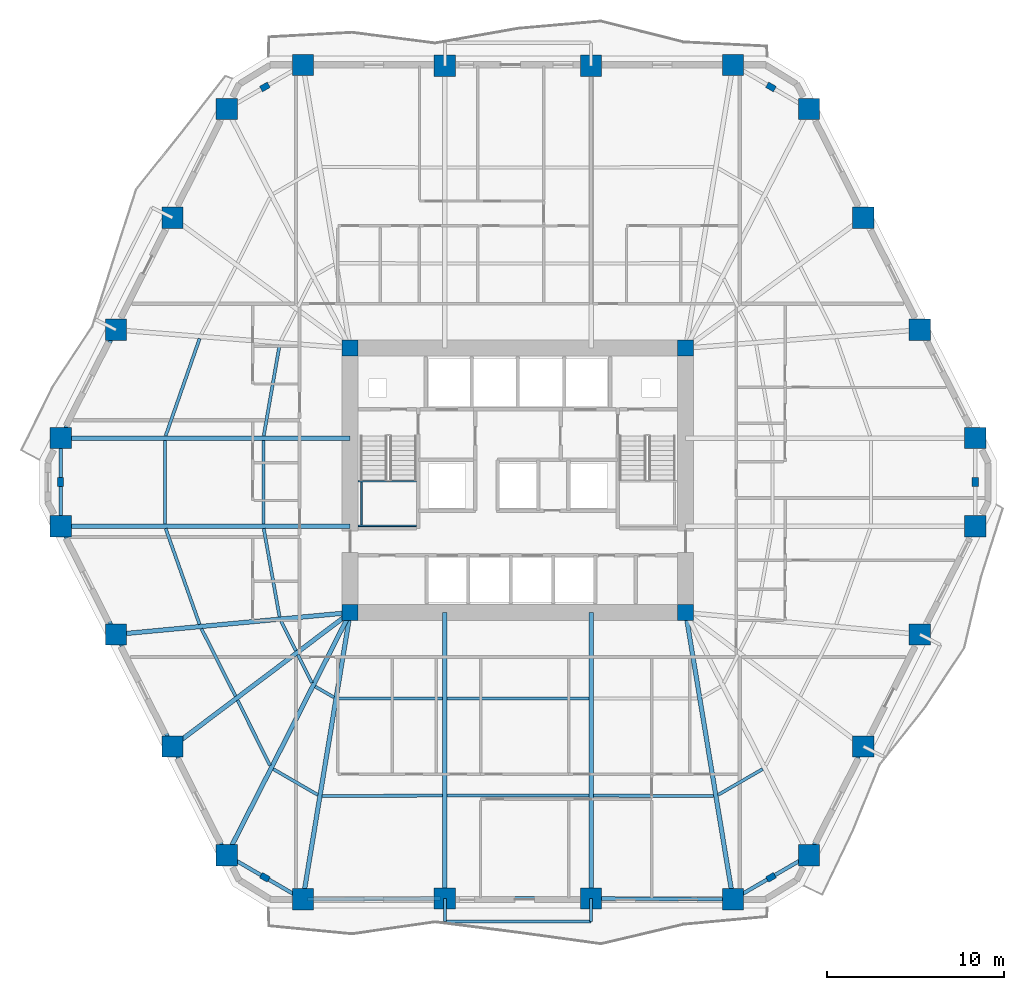
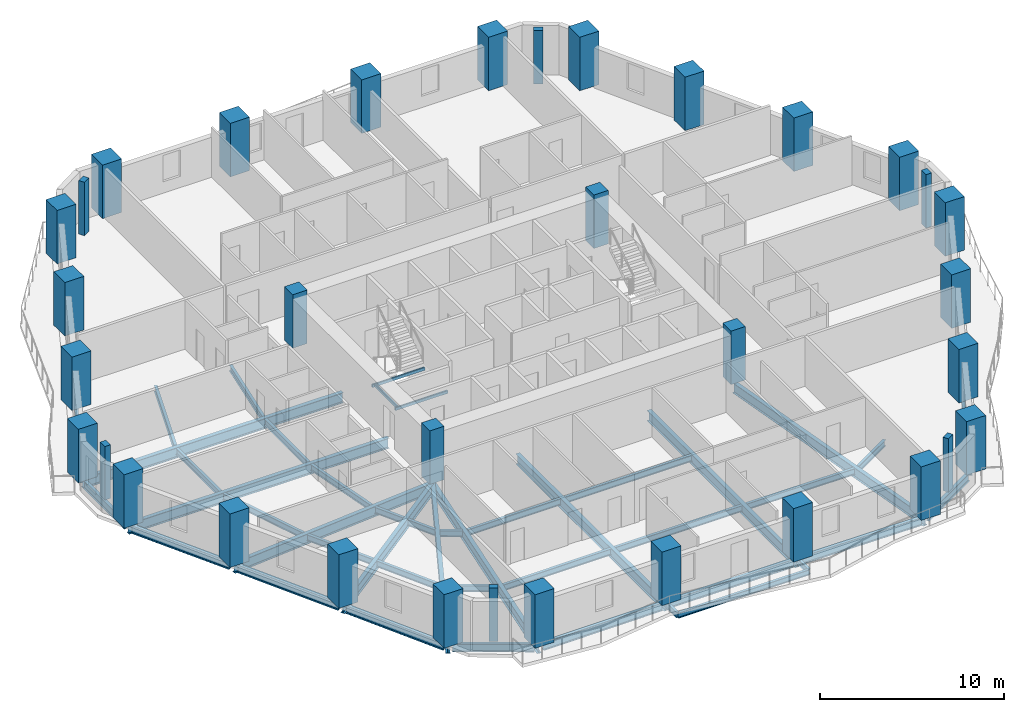
# One storey, part 1 of 12: 44 beams, 34 columns.
"""IFC4 building model written with IfcOpenShell, lengths in metres."""

from ifc_helpers import new_model, si_unit, direction, frame, origin, origin_2d, place, context, subcontext, project, spatial, rectangle, hollow_rectangle, i_section, extrude, material, material_profile, profile_set, type_object, element, save


model = new_model("IFC4")

# Units and contexts
model_context = context("Model", 3, precision=1e-05, world=origin(), true_north=direction((0.0, 1.0)))
body_context = subcontext(model_context, "Body", "Model", "MODEL_VIEW")
ifc_project = project(units=[si_unit("LENGTHUNIT", "METRE"), si_unit("AREAUNIT", "SQUARE_METRE"), si_unit("VOLUMEUNIT", "CUBIC_METRE"), si_unit("PLANEANGLEUNIT", "RADIAN"), si_unit("MASSUNIT", "GRAM", prefix="KILO")], contexts=[model_context])

# Site, building, storey
site_placement = place(None, origin())
site = spatial("IfcSite", under=ifc_project, at=site_placement, CompositionType="ELEMENT")
building_placement = place(site_placement, origin())
building = spatial("IfcBuilding", under=site, at=building_placement, Name="Cinnabar Lancet Tower", CompositionType="ELEMENT")
storey_placement = place(building_placement, frame((0.0, 0.0, 71.050048828125)))
storey = spatial("IfcBuildingStorey", under=building, at=storey_placement, Name="L18", CompositionType="ELEMENT", Elevation=71.050048828125)

# Columns
ifc_material_1 = material(Name="Concrete C80/95", Category="concrete")
ifc_material_profile_1 = material_profile(ifc_material_1, rectangle(XDim=0.89990234375, YDim=0.89990234375, at=origin_2d()), Name="RC-COL 900x900")
ifc_profile_set_1 = profile_set([ifc_material_profile_1], Name="Concrete C80/95")
column_type_1 = type_object("IfcColumnType", Name="STR-COL-CORE-900", PredefinedType="COLUMN", material=ifc_profile_set_1)
for number, where, z_axis, x_axis, name in (
    (1, (22.949951171875, 18.449951171875, 0.0), (0.0, 0.0, 1.0), (1.0, 0.0, 0.0), "L18 Core Corner Column SW"),
    (2, (41.85009765625, 18.449951171875, 0.0), (0.0, 0.0, 1.0), (1.0, 0.0, 0.0), "L18 Core Corner Column SE"),
    (3, (41.85009765625, 33.35009765625, 0.0), (0.0, 0.0, 1.0), (1.0, 0.0, 0.0), "L18 Core Corner Column NE"),
    (4, (22.949951171875, 33.35009765625, 0.0), (0.0, 0.0, 1.0), (1.0, 0.0, 0.0), "L18 Core Corner Column NW"),
):
    element("IfcColumn", number, at=place(storey_placement, frame(where, z_axis=z_axis, x_axis=x_axis)), inside=storey, type_object=column_type_1, Name=name, PredefinedType="COLUMN", context=body_context, shape_type="SweptSolid", body=[
        extrude(rectangle(XDim=0.89990234375, YDim=0.89990234375, at=origin_2d()), origin(), (0.0, 0.0, 1.0), 3.550048828125),
    ])
ifc_material_2 = material(Name="Concrete C60/75", Category="concrete")
ifc_material_profile_2 = material_profile(ifc_material_2, rectangle(XDim=0.5, YDim=0.35009765625, at=origin_2d()), Name="RC-PIL 500x350")
ifc_profile_set_2 = profile_set([ifc_material_profile_2], Name="Concrete C60/75")
column_type_2 = type_object("IfcColumnType", Name="STR-COL-PIL-500", PredefinedType="PILASTER", material=ifc_profile_set_2)
for number, where, z_axis, x_axis, name in (
    (5, (18.139892578125, 3.531005859375, 0.0), (0.0, 0.0, 1.0), (0.865195182343, -0.501435236546, 0.0), "L18 Chamfered Corner Pilaster 1"),
    (6, (46.659912109375, 3.531005859375, 0.0), (0.0, 0.0, 1.0), (0.865195182343, 0.501435236546, 0.0), "L18 Chamfered Corner Pilaster 2"),
    (7, (58.16796875, 25.800048828125, 0.0), (0.0, 0.0, 1.0), (0.0, 1.0, 0.0), "L18 Chamfered Corner Pilaster 3"),
    (8, (46.659912109375, 48.069091796875, 0.0), (0.0, 0.0, 1.0), (-0.865195182343, 0.501435236546, 0.0), "L18 Chamfered Corner Pilaster 4"),
    (9, (18.139892578125, 48.069091796875, 0.0), (0.0, 0.0, 1.0), (-0.865195182343, -0.501435236546, 0.0), "L18 Chamfered Corner Pilaster 5"),
    (10, (6.632080078125, 25.800048828125, 0.0), (0.0, 0.0, 1.0), (0.0, -1.0, 0.0), "L18 Chamfered Corner Pilaster 6"),
):
    element("IfcColumn", number, at=place(storey_placement, frame(where, z_axis=z_axis, x_axis=x_axis)), inside=storey, type_object=column_type_2, Name=name, PredefinedType="PILASTER", context=body_context, shape_type="SweptSolid", body=[
        extrude(rectangle(XDim=0.5, YDim=0.35009765625, at=origin_2d()), origin(), (0.0, 0.0, 1.0), 3.550048828125),
    ])
ifc_material_3 = material(Name="Concrete C80/95", Category="concrete")
ifc_material_profile_3 = material_profile(ifc_material_3, rectangle(XDim=1.199951171875, YDim=1.199951171875, at=origin_2d()), Name="RC-COL 1200x1200")
ifc_profile_set_3 = profile_set([ifc_material_profile_3], Name="Concrete C80/95")
column_type_3 = type_object("IfcColumnType", Name="STR-COL-TUBE-1200", PredefinedType="COLUMN", material=ifc_profile_set_3)
for number, where, z_axis, x_axis, name in (
    (11, (20.282958984375, 2.2890625, 0.0), (0.0, 0.0, 1.0), (1.0, 0.0, 0.0), "L18 Perimeter Tube Column 1"),
    (12, (28.278076171875, 2.342041015625, 0.0), (0.0, 0.0, 1.0), (1.0, 0.0, 0.0), "L18 Perimeter Tube Column 2"),
    (13, (36.52197265625, 2.342041015625, 0.0), (0.0, 0.0, 1.0), (1.0, 0.0, 0.0), "L18 Perimeter Tube Column 3"),
    (14, (44.51708984375, 2.2890625, 0.0), (0.0, 0.0, 1.0), (1.0, 0.0, 0.0), "L18 Perimeter Tube Column 4"),
    (15, (48.802978515625, 4.77294921875, 0.0), (0.0, 0.0, 1.0), (1.0, 0.0, 0.0), "L18 Perimeter Tube Column 5"),
    (16, (51.85888671875, 10.908935546875, 0.0), (0.0, 0.0, 1.0), (1.0, 0.0, 0.0), "L18 Perimeter Tube Column 6"),
    (17, (55.0458984375, 17.219970703125, 0.0), (0.0, 0.0, 1.0), (1.0, 0.0, 0.0), "L18 Perimeter Tube Column 7"),
    (18, (58.16796875, 23.31396484375, 0.0), (0.0, 0.0, 1.0), (1.0, 0.0, 0.0), "L18 Perimeter Tube Column 8"),
    (19, (58.16796875, 28.285888671875, 0.0), (0.0, 0.0, 1.0), (1.0, 0.0, 0.0), "L18 Perimeter Tube Column 9"),
    (20, (55.0458984375, 34.3798828125, 0.0), (0.0, 0.0, 1.0), (1.0, 0.0, 0.0), "L18 Perimeter Tube Column 10"),
    (21, (51.85888671875, 40.69091796875, 0.0), (0.0, 0.0, 1.0), (1.0, 0.0, 0.0), "L18 Perimeter Tube Column 11"),
    (22, (48.802978515625, 46.826904296875, 0.0), (0.0, 0.0, 1.0), (1.0, 0.0, 0.0), "L18 Perimeter Tube Column 12"),
    (23, (44.51708984375, 49.31103515625, 0.0), (0.0, 0.0, 1.0), (1.0, 0.0, 0.0), "L18 Perimeter Tube Column 13"),
    (24, (36.52197265625, 49.258056640625, 0.0), (0.0, 0.0, 1.0), (1.0, 0.0, 0.0), "L18 Perimeter Tube Column 14"),
    (25, (28.278076171875, 49.258056640625, 0.0), (0.0, 0.0, 1.0), (1.0, 0.0, 0.0), "L18 Perimeter Tube Column 15"),
    (26, (20.282958984375, 49.31103515625, 0.0), (0.0, 0.0, 1.0), (1.0, 0.0, 0.0), "L18 Perimeter Tube Column 16"),
    (27, (15.9970703125, 46.826904296875, 0.0), (0.0, 0.0, 1.0), (1.0, 0.0, 0.0), "L18 Perimeter Tube Column 17"),
    (28, (12.94091796875, 40.69091796875, 0.0), (0.0, 0.0, 1.0), (1.0, 0.0, 0.0), "L18 Perimeter Tube Column 18"),
    (29, (9.75390625, 34.3798828125, 0.0), (0.0, 0.0, 1.0), (1.0, 0.0, 0.0), "L18 Perimeter Tube Column 19"),
    (30, (6.632080078125, 28.285888671875, 0.0), (0.0, 0.0, 1.0), (1.0, 0.0, 0.0), "L18 Perimeter Tube Column 20"),
    (31, (6.632080078125, 23.31396484375, 0.0), (0.0, 0.0, 1.0), (1.0, 0.0, 0.0), "L18 Perimeter Tube Column 21"),
    (32, (9.75390625, 17.219970703125, 0.0), (0.0, 0.0, 1.0), (1.0, 0.0, 0.0), "L18 Perimeter Tube Column 22"),
    (33, (12.94091796875, 10.908935546875, 0.0), (0.0, 0.0, 1.0), (1.0, 0.0, 0.0), "L18 Perimeter Tube Column 23"),
    (34, (15.9970703125, 4.77294921875, 0.0), (0.0, 0.0, 1.0), (1.0, 0.0, 0.0), "L18 Perimeter Tube Column 24"),
):
    element("IfcColumn", number, at=place(storey_placement, frame(where, z_axis=z_axis, x_axis=x_axis)), inside=storey, type_object=column_type_3, Name=name, PredefinedType="COLUMN", context=body_context, shape_type="SweptSolid", body=[
        extrude(rectangle(XDim=1.199951171875, YDim=1.199951171875, at=origin_2d()), origin(), (0.0, 0.0, 1.0), 3.550048828125),
    ])

# Beams
ifc_material_4 = material(Name="Structural steel S355", Category="steel")
ifc_material_profile_4 = material_profile(ifc_material_4, i_section(OverallWidth=0.177978515625, OverallDepth=0.406494140625, WebThickness=0.0078125, FlangeThickness=0.0126953125, FilletRadius=0.01025390625, at=origin_2d()), Name="UKB 406x178x60")
ifc_profile_set_4 = profile_set([ifc_material_profile_4], Name="Structural steel S355")
beam_type_1 = type_object("IfcBeamType", Name="STR-BM-JST-406", PredefinedType="JOIST", material=ifc_profile_set_4)
beam_1_placement = place(storey_placement, frame((12.551025390625, 23.18701171875, -0.423095703125), z_axis=(0.333384030214, -0.942791115995, 0.0), x_axis=(0.942791115995, 0.333384030214, 0.0)))
element("IfcBeam", 35, at=beam_1_placement, inside=storey, type_object=beam_type_1, Name="L18 Secondary Floor Joist 1", PredefinedType="JOIST", context=body_context, shape_type="SweptSolid", body=[
    extrude(i_section(OverallWidth=0.177978515625, OverallDepth=0.406494140625, WebThickness=0.0078125, FlangeThickness=0.0126953125, FilletRadius=0.01025390625, at=origin_2d()), origin(), (0.0, 0.0, 1.0), 5.728759765625),
])
beam_2_placement = place(storey_placement, frame((18.076904296875, 23.18701171875, -0.423095703125), z_axis=(0.176294913937, -0.984337393031, 0.0), x_axis=(0.984337393031, 0.176294913937, 0.0)))
element("IfcBeam", 36, at=beam_2_placement, inside=storey, type_object=beam_type_1, Name="L18 Secondary Floor Joist 2", PredefinedType="JOIST", context=body_context, shape_type="SweptSolid", body=[
    extrude(i_section(OverallWidth=0.177978515625, OverallDepth=0.406494140625, WebThickness=0.0078125, FlangeThickness=0.0126953125, FilletRadius=0.01025390625, at=origin_2d()), origin(), (0.0, 0.0, 1.0), 5.060302734375),
])
beam_3_placement = place(storey_placement, frame((14.56591796875, 17.541015625, -0.423095703125), z_axis=(0.450809572228, -0.892620148545, 0.0), x_axis=(0.892620148545, 0.450809572228, 0.0)))
element("IfcBeam", 37, at=beam_3_placement, inside=storey, type_object=beam_type_1, Name="L18 Secondary Floor Joist 3", PredefinedType="JOIST", context=body_context, shape_type="SweptSolid", body=[
    extrude(i_section(OverallWidth=0.177978515625, OverallDepth=0.406494140625, WebThickness=0.0078125, FlangeThickness=0.0126953125, FilletRadius=0.01025390625, at=origin_2d()), origin(), (0.0, 0.0, 1.0), 4.25927734375),
])
beam_4_placement = place(storey_placement, frame((19.052978515625, 17.958984375, -0.423095703125), z_axis=(0.450632179195, -0.892709717139, 0.0), x_axis=(0.892709717139, 0.450632179195, 0.0)))
element("IfcBeam", 38, at=beam_4_placement, inside=storey, type_object=beam_type_1, Name="L18 Secondary Floor Joist 4", PredefinedType="JOIST", context=body_context, shape_type="SweptSolid", body=[
    extrude(i_section(OverallWidth=0.177978515625, OverallDepth=0.406494140625, WebThickness=0.0078125, FlangeThickness=0.0126953125, FilletRadius=0.01025390625, at=origin_2d()), origin(), (0.0, 0.0, 1.0), 1.85498046875),
])
beam_5_placement = place(storey_placement, frame((16.60205078125, 13.508056640625, -0.423095703125), z_axis=(0.445807799253, -0.895128709251, 0.0), x_axis=(0.895128709251, 0.445807799253, 0.0)))
element("IfcBeam", 39, at=beam_5_placement, inside=storey, type_object=beam_type_1, Name="L18 Secondary Floor Joist 5", PredefinedType="JOIST", context=body_context, shape_type="SweptSolid", body=[
    extrude(i_section(OverallWidth=0.177978515625, OverallDepth=0.406494140625, WebThickness=0.0078125, FlangeThickness=0.0126953125, FilletRadius=0.01025390625, at=origin_2d()), origin(), (0.0, 0.0, 1.0), 4.10009765625),
])
beam_6_placement = place(storey_placement, frame((20.0048828125, 16.072021484375, -0.423095703125), z_axis=(0.445888683384, -0.895088421347, 0.0), x_axis=(0.895088421347, 0.445888683384, 0.0)))
element("IfcBeam", 40, at=beam_6_placement, inside=storey, type_object=beam_type_1, Name="L18 Secondary Floor Joist 6", PredefinedType="JOIST", context=body_context, shape_type="SweptSolid", body=[
    extrude(i_section(OverallWidth=0.177978515625, OverallDepth=0.406494140625, WebThickness=0.0078125, FlangeThickness=0.0126953125, FilletRadius=0.01025390625, at=origin_2d()), origin(), (0.0, 0.0, 1.0), 1.76953125),
])
beam_7_placement = place(storey_placement, frame((18.610107421875, 9.633056640625, -0.423095703125), z_axis=(0.865209684948, -0.501410212373, 0.0), x_axis=(0.501410212373, 0.865209684948, 0.0)))
element("IfcBeam", 41, at=beam_7_placement, inside=storey, type_object=beam_type_1, Name="L18 Secondary Floor Joist 7", PredefinedType="JOIST", context=body_context, shape_type="SweptSolid", body=[
    extrude(i_section(OverallWidth=0.177978515625, OverallDepth=0.406494140625, WebThickness=0.0078125, FlangeThickness=0.0126953125, FilletRadius=0.01025390625, at=origin_2d()), origin(), (0.0, 0.0, 1.0), 2.90771484375),
])
beam_8_placement = place(storey_placement, frame((20.97412109375, 14.282958984375, -0.423095703125), z_axis=(0.865417177575, -0.50105200205, 0.0), x_axis=(0.50105200205, 0.865417177575, 0.0)))
element("IfcBeam", 42, at=beam_8_placement, inside=storey, type_object=beam_type_1, Name="L18 Secondary Floor Joist 8", PredefinedType="JOIST", context=body_context, shape_type="SweptSolid", body=[
    extrude(i_section(OverallWidth=0.177978515625, OverallDepth=0.406494140625, WebThickness=0.0078125, FlangeThickness=0.0126953125, FilletRadius=0.01025390625, at=origin_2d()), origin(), (0.0, 0.0, 1.0), 1.223388671875),
])
beam_9_placement = place(storey_placement, frame((21.3720703125, 8.10791015625, -0.423095703125), z_axis=(0.999988870422, 0.004717947923, 0.0), x_axis=(-0.004717947923, 0.999988870422, 0.0)))
element("IfcBeam", 43, at=beam_9_placement, inside=storey, type_object=beam_type_1, Name="L18 Secondary Floor Joist 9", PredefinedType="JOIST", context=body_context, shape_type="SweptSolid", body=[
    extrude(i_section(OverallWidth=0.177978515625, OverallDepth=0.406494140625, WebThickness=0.0078125, FlangeThickness=0.0126953125, FilletRadius=0.01025390625, at=origin_2d()), origin(), (0.0, 0.0, 1.0), 6.77880859375),
])
beam_10_placement = place(storey_placement, frame((22.279052734375, 13.60205078125, -0.423095703125), z_axis=(0.999996783665, 0.00253626892, 0.0), x_axis=(-0.00253626892, 0.999996783665, 0.0)))
element("IfcBeam", 44, at=beam_10_placement, inside=storey, type_object=beam_type_1, Name="L18 Secondary Floor Joist 10", PredefinedType="JOIST", context=body_context, shape_type="SweptSolid", body=[
    extrude(i_section(OverallWidth=0.177978515625, OverallDepth=0.406494140625, WebThickness=0.0078125, FlangeThickness=0.0126953125, FilletRadius=0.01025390625, at=origin_2d()), origin(), (0.0, 0.0, 1.0), 5.871826171875),
])
for number, where, z_axis, x_axis, name in (
    (45, (28.405029296875, 8.14111328125, -0.423095703125), (1.0, 0.0, 0.0), (0.0, 1.0, 0.0), "L18 Secondary Floor Joist 11"),
    (46, (28.405029296875, 13.617919921875, -0.423095703125), (1.0, 0.0, 0.0), (0.0, 1.0, 0.0), "L18 Secondary Floor Joist 12"),
):
    element("IfcBeam", number, at=place(storey_placement, frame(where, z_axis=z_axis, x_axis=x_axis)), inside=storey, type_object=beam_type_1, Name=name, PredefinedType="JOIST", context=body_context, shape_type="SweptSolid", body=[
        extrude(i_section(OverallWidth=0.177978515625, OverallDepth=0.406494140625, WebThickness=0.0078125, FlangeThickness=0.0126953125, FilletRadius=0.01025390625, at=origin_2d()), origin(), (0.0, 0.0, 1.0), 7.989990234375),
    ])
beam_11_placement = place(storey_placement, frame((36.64892578125, 8.139892578125, -0.423095703125), z_axis=(0.999988871223, -0.004717778015, 0.0), x_axis=(0.004717778015, 0.999988871223, 0.0)))
element("IfcBeam", 47, at=beam_11_placement, inside=storey, type_object=beam_type_1, Name="L18 Secondary Floor Joist 13", PredefinedType="JOIST", context=body_context, shape_type="SweptSolid", body=[
    extrude(i_section(OverallWidth=0.177978515625, OverallDepth=0.406494140625, WebThickness=0.0078125, FlangeThickness=0.0126953125, FilletRadius=0.01025390625, at=origin_2d()), origin(), (0.0, 0.0, 1.0), 6.779052734375),
])
beam_12_placement = place(storey_placement, frame((43.674072265625, 8.175048828125, -0.423095703125), z_axis=(0.865209684948, 0.501410212373, 0.0), x_axis=(-0.501410212373, 0.865209684948, 0.0)))
element("IfcBeam", 48, at=beam_12_placement, inside=storey, type_object=beam_type_1, Name="L18 Secondary Floor Joist 15", PredefinedType="JOIST", context=body_context, shape_type="SweptSolid", body=[
    extrude(i_section(OverallWidth=0.177978515625, OverallDepth=0.406494140625, WebThickness=0.0078125, FlangeThickness=0.0126953125, FilletRadius=0.01025390625, at=origin_2d()), origin(), (0.0, 0.0, 1.0), 2.90771484375),
])
beam_13_placement = place(storey_placement, frame((14.4609375, 33.885009765625, -0.423095703125), z_axis=(-0.329541584143, -0.944141061664, 0.0), x_axis=(0.944141061664, -0.329541584143, 0.0)))
element("IfcBeam", 49, at=beam_13_placement, inside=storey, type_object=beam_type_1, Name="L18 Secondary Floor Joist 45", PredefinedType="JOIST", context=body_context, shape_type="SweptSolid", body=[
    extrude(i_section(OverallWidth=0.177978515625, OverallDepth=0.406494140625, WebThickness=0.0078125, FlangeThickness=0.0126953125, FilletRadius=0.01025390625, at=origin_2d()), origin(), (0.0, 0.0, 1.0), 5.795654296875),
])
beam_14_placement = place(storey_placement, frame((18.968994140625, 33.532958984375, -0.423095703125), z_axis=(-0.17165440437, -0.985157228802, 0.0), x_axis=(0.985157228802, -0.17165440437, 0.0)))
element("IfcBeam", 50, at=beam_14_placement, inside=storey, type_object=beam_type_1, Name="L18 Secondary Floor Joist 46", PredefinedType="JOIST", context=body_context, shape_type="SweptSolid", body=[
    extrude(i_section(OverallWidth=0.177978515625, OverallDepth=0.406494140625, WebThickness=0.0078125, FlangeThickness=0.0126953125, FilletRadius=0.01025390625, at=origin_2d()), origin(), (0.0, 0.0, 1.0), 5.197021484375),
])
for number, where, z_axis, x_axis, name in (
    (51, (12.506103515625, 28.158935546875, -0.423095703125), (0.0, -1.0, 0.0), (1.0, 0.0, 0.0), "L18 Secondary Floor Joist 47"),
    (52, (18.054931640625, 28.158935546875, -0.423095703125), (0.0, -1.0, 0.0), (1.0, 0.0, 0.0), "L18 Secondary Floor Joist 48"),
):
    element("IfcBeam", number, at=place(storey_placement, frame(where, z_axis=z_axis, x_axis=x_axis)), inside=storey, type_object=beam_type_1, Name=name, PredefinedType="JOIST", context=body_context, shape_type="SweptSolid", body=[
        extrude(i_section(OverallWidth=0.177978515625, OverallDepth=0.406494140625, WebThickness=0.0078125, FlangeThickness=0.0126953125, FilletRadius=0.01025390625, at=origin_2d()), origin(), (0.0, 0.0, 1.0), 4.718017578125),
    ])
ifc_material_5 = material(Name="Structural steel S355", Category="steel")
ifc_material_profile_5 = material_profile(ifc_material_5, hollow_rectangle(XDim=0.10009765625, YDim=0.199951171875, WallThickness=0.008056640625, InnerFilletRadius=0.00390625, OuterFilletRadius=0.011962890625, at=origin_2d()), Name="RHS 200x100x8")
ifc_profile_set_5 = profile_set([ifc_material_profile_5], Name="Structural steel S355")
beam_type_2 = type_object("IfcBeamType", Name="STR-BM-LND-203", PredefinedType="BEAM", material=ifc_profile_set_5)
for number, where, z_axis, x_axis, name in (
    (53, (23.39990234375, 23.330078125, 1.474853515625), (1.0, 0.0, 0.0), (0.0, 1.0, 0.0), "L18 ST-1-L18 Landing Support Beam S"),
    (54, (23.39990234375, 25.844970703125, 1.474853515625), (1.0, 0.0, 0.0), (0.0, 1.0, 0.0), "L18 ST-1-L18 Landing Support Beam N"),
):
    element("IfcBeam", number, at=place(storey_placement, frame(where, z_axis=z_axis, x_axis=x_axis)), inside=storey, type_object=beam_type_2, Name=name, PredefinedType="BEAM", context=body_context, shape_type="SweptSolid", body=[
        extrude(hollow_rectangle(XDim=0.10009765625, YDim=0.199951171875, WallThickness=0.008056640625, InnerFilletRadius=0.00390625, OuterFilletRadius=0.011962890625, at=origin_2d()), origin(), (0.0, 0.0, 1.0), 3.280029296875),
    ])
beam_15_placement = place(storey_placement, frame((23.580078125, 23.3798828125, 1.474853515625), z_axis=(0.0, 1.0, 0.0), x_axis=(-1.0, 0.0, 0.0)))
element("IfcBeam", 55, at=beam_15_placement, inside=storey, type_object=beam_type_2, Name="L18 ST-1-L18 Landing Side Trimmer Beam", PredefinedType="BEAM", context=body_context, shape_type="SweptSolid", body=[
    extrude(hollow_rectangle(XDim=0.10009765625, YDim=0.199951171875, WallThickness=0.008056640625, InnerFilletRadius=0.00390625, OuterFilletRadius=0.011962890625, at=origin_2d()), origin(), (0.0, 0.0, 1.0), 2.4150390625),
])
ifc_material_6 = material(Name="Structural steel S355", Category="steel")
ifc_material_profile_6 = material_profile(ifc_material_6, i_section(OverallWidth=0.209228515625, OverallDepth=0.533203125, WebThickness=0.010009765625, FlangeThickness=0.015625, FilletRadius=0.0126953125, at=origin_2d()), Name="UKB 533x210x92")
ifc_profile_set_6 = profile_set([ifc_material_profile_6], Name="Structural steel S355")
beam_type_3 = type_object("IfcBeamType", Name="STR-BM-SPN-533", PredefinedType="SPANDREL", material=ifc_profile_set_6)
beam_16_placement = place(storey_placement, frame((20.532958984375, 2.291015625, -0.487060546875), z_axis=(0.99997856757, 0.006547090947, 0.0), x_axis=(-0.006547090947, 0.99997856757, 0.0)))
element("IfcBeam", 56, at=beam_16_placement, inside=storey, type_object=beam_type_3, Name="L18 Perimeter Spandrel 1", PredefinedType="SPANDREL", context=body_context, shape_type="SweptSolid", body=[
    extrude(i_section(OverallWidth=0.209228515625, OverallDepth=0.533203125, WebThickness=0.010009765625, FlangeThickness=0.015625, FilletRadius=0.0126953125, at=origin_2d()), origin(), (0.0, 0.0, 1.0), 7.495361328125),
])
beam_17_placement = place(storey_placement, frame((28.528076171875, 2.342041015625, -0.487060546875), z_axis=(1.0, 0.0, 0.0), x_axis=(0.0, 1.0, 0.0)))
element("IfcBeam", 57, at=beam_17_placement, inside=storey, type_object=beam_type_3, Name="L18 Perimeter Spandrel 2", PredefinedType="SPANDREL", context=body_context, shape_type="SweptSolid", body=[
    extrude(i_section(OverallWidth=0.209228515625, OverallDepth=0.533203125, WebThickness=0.010009765625, FlangeThickness=0.015625, FilletRadius=0.0126953125, at=origin_2d()), origin(), (0.0, 0.0, 1.0), 7.743896484375),
])
beam_18_placement = place(storey_placement, frame((36.77197265625, 2.340087890625, -0.487060546875), z_axis=(0.99997856757, -0.006547090947, 0.0), x_axis=(0.006547090947, 0.99997856757, 0.0)))
element("IfcBeam", 58, at=beam_18_placement, inside=storey, type_object=beam_type_3, Name="L18 Perimeter Spandrel 3", PredefinedType="SPANDREL", context=body_context, shape_type="SweptSolid", body=[
    extrude(i_section(OverallWidth=0.209228515625, OverallDepth=0.533203125, WebThickness=0.010009765625, FlangeThickness=0.015625, FilletRadius=0.0126953125, at=origin_2d()), origin(), (0.0, 0.0, 1.0), 7.495361328125),
])
beam_19_placement = place(storey_placement, frame((44.73291015625, 2.4140625, -0.487060546875), z_axis=(0.865171017323, 0.501476929463, 0.0), x_axis=(-0.501476929463, 0.865171017323, 0.0)))
element("IfcBeam", 59, at=beam_19_placement, inside=storey, type_object=beam_type_3, Name="L18 Perimeter Spandrel 4", PredefinedType="SPANDREL", context=body_context, shape_type="SweptSolid", body=[
    extrude(i_section(OverallWidth=0.209228515625, OverallDepth=0.533203125, WebThickness=0.010009765625, FlangeThickness=0.015625, FilletRadius=0.0126953125, at=origin_2d()), origin(), (0.0, 0.0, 1.0), 4.45458984375),
])
beam_20_placement = place(storey_placement, frame((48.9140625, 4.9970703125, -0.487060546875), z_axis=(0.445953050023, 0.89505635419, 0.0), x_axis=(-0.89505635419, 0.445953050023, 0.0)))
element("IfcBeam", 60, at=beam_20_placement, inside=storey, type_object=beam_type_3, Name="L18 Perimeter Spandrel 5", PredefinedType="SPANDREL", context=body_context, shape_type="SweptSolid", body=[
    extrude(i_section(OverallWidth=0.209228515625, OverallDepth=0.533203125, WebThickness=0.010009765625, FlangeThickness=0.015625, FilletRadius=0.0126953125, at=origin_2d()), origin(), (0.0, 0.0, 1.0), 6.35498046875),
])
beam_21_placement = place(storey_placement, frame((9.639892578125, 34.156982421875, -0.487060546875), z_axis=(-0.455994051912, -0.889982822655, 0.0), x_axis=(0.889982822655, -0.455994051912, 0.0)))
element("IfcBeam", 61, at=beam_21_placement, inside=storey, type_object=beam_type_3, Name="L18 Perimeter Spandrel 19", PredefinedType="SPANDREL", context=body_context, shape_type="SweptSolid", body=[
    extrude(i_section(OverallWidth=0.209228515625, OverallDepth=0.533203125, WebThickness=0.010009765625, FlangeThickness=0.015625, FilletRadius=0.0126953125, at=origin_2d()), origin(), (0.0, 0.0, 1.0), 6.34619140625),
])
beam_22_placement = place(storey_placement, frame((6.632080078125, 28.035888671875, -0.487060546875), z_axis=(0.0, -1.0, 0.0), x_axis=(1.0, 0.0, 0.0)))
element("IfcBeam", 62, at=beam_22_placement, inside=storey, type_object=beam_type_3, Name="L18 Perimeter Spandrel 20", PredefinedType="SPANDREL", context=body_context, shape_type="SweptSolid", body=[
    extrude(i_section(OverallWidth=0.209228515625, OverallDepth=0.533203125, WebThickness=0.010009765625, FlangeThickness=0.015625, FilletRadius=0.0126953125, at=origin_2d()), origin(), (0.0, 0.0, 1.0), 4.471923828125),
])
beam_23_placement = place(storey_placement, frame((6.74609375, 23.091064453125, -0.487060546875), z_axis=(0.455994051912, -0.889982822655, 0.0), x_axis=(0.889982822655, 0.455994051912, 0.0)))
element("IfcBeam", 63, at=beam_23_placement, inside=storey, type_object=beam_type_3, Name="L18 Perimeter Spandrel 21", PredefinedType="SPANDREL", context=body_context, shape_type="SweptSolid", body=[
    extrude(i_section(OverallWidth=0.209228515625, OverallDepth=0.533203125, WebThickness=0.010009765625, FlangeThickness=0.015625, FilletRadius=0.0126953125, at=origin_2d()), origin(), (0.0, 0.0, 1.0), 6.34619140625),
])
beam_24_placement = place(storey_placement, frame((9.866943359375, 16.9970703125, -0.487060546875), z_axis=(0.450673532306, -0.892688841242, 0.0), x_axis=(0.892688841242, 0.450673532306, 0.0)))
element("IfcBeam", 64, at=beam_24_placement, inside=storey, type_object=beam_type_3, Name="L18 Perimeter Spandrel 22", PredefinedType="SPANDREL", context=body_context, shape_type="SweptSolid", body=[
    extrude(i_section(OverallWidth=0.209228515625, OverallDepth=0.533203125, WebThickness=0.010009765625, FlangeThickness=0.015625, FilletRadius=0.0126953125, at=origin_2d()), origin(), (0.0, 0.0, 1.0), 6.570068359375),
])
beam_25_placement = place(storey_placement, frame((13.052001953125, 10.68505859375, -0.487060546875), z_axis=(0.445953050023, -0.89505635419, 0.0), x_axis=(0.89505635419, 0.445953050023, 0.0)))
element("IfcBeam", 65, at=beam_25_placement, inside=storey, type_object=beam_type_3, Name="L18 Perimeter Spandrel 23", PredefinedType="SPANDREL", context=body_context, shape_type="SweptSolid", body=[
    extrude(i_section(OverallWidth=0.209228515625, OverallDepth=0.533203125, WebThickness=0.010009765625, FlangeThickness=0.015625, FilletRadius=0.0126953125, at=origin_2d()), origin(), (0.0, 0.0, 1.0), 6.35498046875),
])
beam_26_placement = place(storey_placement, frame((16.212890625, 4.64794921875, -0.487060546875), z_axis=(0.865171017323, -0.501476929463, 0.0), x_axis=(0.501476929463, 0.865171017323, 0.0)))
element("IfcBeam", 66, at=beam_26_placement, inside=storey, type_object=beam_type_3, Name="L18 Perimeter Spandrel 24", PredefinedType="SPANDREL", context=body_context, shape_type="SweptSolid", body=[
    extrude(i_section(OverallWidth=0.209228515625, OverallDepth=0.533203125, WebThickness=0.010009765625, FlangeThickness=0.015625, FilletRadius=0.0126953125, at=origin_2d()), origin(), (0.0, 0.0, 1.0), 4.45458984375),
])
ifc_material_7 = material(Name="Structural steel S355", Category="steel")
ifc_material_profile_7 = material_profile(ifc_material_7, i_section(OverallWidth=0.253662109375, OverallDepth=0.68359375, WebThickness=0.012451171875, FlangeThickness=0.01904296875, FilletRadius=0.01513671875, at=origin_2d()), Name="UKB 686x254x140")
ifc_profile_set_7 = profile_set([ifc_material_profile_7], Name="Structural steel S355")
beam_type_4 = type_object("IfcBeamType", Name="STR-BM-UKB686-140", PredefinedType="BEAM", material=ifc_profile_set_7)
beam_27_placement = place(storey_placement, frame((12.94091796875, 10.908935546875, -0.56201171875), z_axis=(0.798686588468, 0.601747233812, 0.0), x_axis=(-0.601747233812, 0.798686588468, 0.0)))
element("IfcBeam", 67, at=beam_27_placement, inside=storey, type_object=beam_type_4, Name="L18 Corner Collector Girder 1", PredefinedType="BEAM", context=body_context, shape_type="SweptSolid", body=[
    extrude(i_section(OverallWidth=0.253662109375, OverallDepth=0.68359375, WebThickness=0.012451171875, FlangeThickness=0.01904296875, FilletRadius=0.01513671875, at=origin_2d()), origin(), (0.0, 0.0, 1.0), 12.531982421875),
])
beam_28_placement = place(storey_placement, frame((20.282958984375, 2.2890625, -0.56201171875), z_axis=(0.162825264118, 0.986654921117, 0.0), x_axis=(-0.986654921117, 0.162825264118, 0.0)))
element("IfcBeam", 68, at=beam_28_placement, inside=storey, type_object=beam_type_4, Name="L18 Primary Floor Girder 1", PredefinedType="BEAM", context=body_context, shape_type="SweptSolid", body=[
    extrude(i_section(OverallWidth=0.253662109375, OverallDepth=0.68359375, WebThickness=0.012451171875, FlangeThickness=0.01904296875, FilletRadius=0.01513671875, at=origin_2d()), origin(), (0.0, 0.0, 1.0), 16.37939453125),
])
for number, where, z_axis, x_axis, name in (
    (69, (28.278076171875, 2.342041015625, -0.56201171875), (0.0, 1.0, 0.0), (-1.0, 0.0, 0.0), "L18 Primary Floor Girder 2"),
    (70, (36.52197265625, 2.342041015625, -0.56201171875), (0.0, 1.0, 0.0), (-1.0, 0.0, 0.0), "L18 Primary Floor Girder 3"),
):
    element("IfcBeam", number, at=place(storey_placement, frame(where, z_axis=z_axis, x_axis=x_axis)), inside=storey, type_object=beam_type_4, Name=name, PredefinedType="BEAM", context=body_context, shape_type="SweptSolid", body=[
        extrude(i_section(OverallWidth=0.253662109375, OverallDepth=0.68359375, WebThickness=0.012451171875, FlangeThickness=0.01904296875, FilletRadius=0.01513671875, at=origin_2d()), origin(), (0.0, 0.0, 1.0), 16.10791015625),
    ])
beam_29_placement = place(storey_placement, frame((44.51708984375, 2.2890625, -0.56201171875), z_axis=(-0.162825264118, 0.986654921117, 0.0), x_axis=(-0.986654921117, -0.162825264118, 0.0)))
element("IfcBeam", 71, at=beam_29_placement, inside=storey, type_object=beam_type_4, Name="L18 Primary Floor Girder 4", PredefinedType="BEAM", context=body_context, shape_type="SweptSolid", body=[
    extrude(i_section(OverallWidth=0.253662109375, OverallDepth=0.68359375, WebThickness=0.012451171875, FlangeThickness=0.01904296875, FilletRadius=0.01513671875, at=origin_2d()), origin(), (0.0, 0.0, 1.0), 16.37939453125),
])
for number, where, z_axis, x_axis, name in (
    (72, (6.632080078125, 28.285888671875, -0.56201171875), (1.0, 0.0, 0.0), (0.0, 1.0, 0.0), "L18 Primary Floor Girder 20"),
    (73, (6.632080078125, 23.31396484375, -0.56201171875), (1.0, 0.0, 0.0), (0.0, 1.0, 0.0), "L18 Primary Floor Girder 21"),
):
    element("IfcBeam", number, at=place(storey_placement, frame(where, z_axis=z_axis, x_axis=x_axis)), inside=storey, type_object=beam_type_4, Name=name, PredefinedType="BEAM", context=body_context, shape_type="SweptSolid", body=[
        extrude(i_section(OverallWidth=0.253662109375, OverallDepth=0.68359375, WebThickness=0.012451171875, FlangeThickness=0.01904296875, FilletRadius=0.01513671875, at=origin_2d()), origin(), (0.0, 0.0, 1.0), 16.31787109375),
    ])
beam_30_placement = place(storey_placement, frame((9.75390625, 17.219970703125, -0.56201171875), z_axis=(0.995684210255, 0.092805998987, 0.0), x_axis=(-0.092805998987, 0.995684210255, 0.0)))
element("IfcBeam", 74, at=beam_30_placement, inside=storey, type_object=beam_type_4, Name="L18 Primary Floor Girder 22", PredefinedType="BEAM", context=body_context, shape_type="SweptSolid", body=[
    extrude(i_section(OverallWidth=0.253662109375, OverallDepth=0.68359375, WebThickness=0.012451171875, FlangeThickness=0.01904296875, FilletRadius=0.01513671875, at=origin_2d()), origin(), (0.0, 0.0, 1.0), 13.253173828125),
])
beam_31_placement = place(storey_placement, frame((15.9970703125, 4.77294921875, -0.56201171875), z_axis=(0.453167599586, 0.89142533433, 0.0), x_axis=(-0.89142533433, 0.453167599586, 0.0)))
element("IfcBeam", 75, at=beam_31_placement, inside=storey, type_object=beam_type_4, Name="L18 Primary Floor Girder 24", PredefinedType="BEAM", context=body_context, shape_type="SweptSolid", body=[
    extrude(i_section(OverallWidth=0.253662109375, OverallDepth=0.68359375, WebThickness=0.012451171875, FlangeThickness=0.01904296875, FilletRadius=0.01513671875, at=origin_2d()), origin(), (0.0, 0.0, 1.0), 15.3427734375),
])
ifc_material_8 = material(Name="Structural steel S355", Category="steel")
ifc_material_profile_8 = material_profile(ifc_material_8, i_section(OverallWidth=0.17138671875, OverallDepth=0.35498046875, WebThickness=0.00732421875, FlangeThickness=0.011474609375, FilletRadius=0.01025390625, at=origin_2d()), Name="UKB 356x171x51")
ifc_profile_set_8 = profile_set([ifc_material_profile_8], Name="Structural steel S355")
beam_type_5 = type_object("IfcBeamType", Name="STR-BM-WAV-OUT", PredefinedType="BEAM", material=ifc_profile_set_8)
for number, where, z_axis, x_axis, name in (
    (76, (28.278076171875, 2.342041015625, -0.39697265625), (0.0, -1.0, 0.0), (1.0, 0.0, 0.0), "L18 Face 1 Balcony Outlooker A"),
    (77, (36.52197265625, 2.342041015625, -0.39697265625), (0.0, -1.0, 0.0), (1.0, 0.0, 0.0), "L18 Face 1 Balcony Outlooker B"),
):
    element("IfcBeam", number, at=place(storey_placement, frame(where, z_axis=z_axis, x_axis=x_axis)), inside=storey, type_object=beam_type_5, Name=name, PredefinedType="BEAM", context=body_context, shape_type="SweptSolid", body=[
        extrude(i_section(OverallWidth=0.17138671875, OverallDepth=0.35498046875, WebThickness=0.00732421875, FlangeThickness=0.011474609375, FilletRadius=0.01025390625, at=origin_2d()), origin(), (0.0, 0.0, 1.0), 1.300048828125),
    ])
ifc_material_9 = material(Name="Structural steel S355", Category="steel")
ifc_material_profile_9 = material_profile(ifc_material_9, i_section(OverallWidth=0.17138671875, OverallDepth=0.35498046875, WebThickness=0.00732421875, FlangeThickness=0.011474609375, FilletRadius=0.01025390625, at=origin_2d()), Name="UKB 356x171x51")
ifc_profile_set_9 = profile_set([ifc_material_profile_9], Name="Structural steel S355")
beam_type_6 = type_object("IfcBeamType", Name="STR-BM-WAV-TRIM", PredefinedType="SPANDREL", material=ifc_profile_set_9)
beam_32_placement = place(storey_placement, frame((28.278076171875, 1.0419921875, -0.39697265625), z_axis=(1.0, 0.0, 0.0), x_axis=(0.0, 1.0, 0.0)))
element("IfcBeam", 78, at=beam_32_placement, inside=storey, type_object=beam_type_6, Name="L18 Face 1 Balcony Edge Trimmer", PredefinedType="SPANDREL", context=body_context, shape_type="SweptSolid", body=[
    extrude(i_section(OverallWidth=0.17138671875, OverallDepth=0.35498046875, WebThickness=0.00732421875, FlangeThickness=0.011474609375, FilletRadius=0.01025390625, at=origin_2d()), origin(), (0.0, 0.0, 1.0), 8.243896484375),
])

save(model, "model.ifc")
